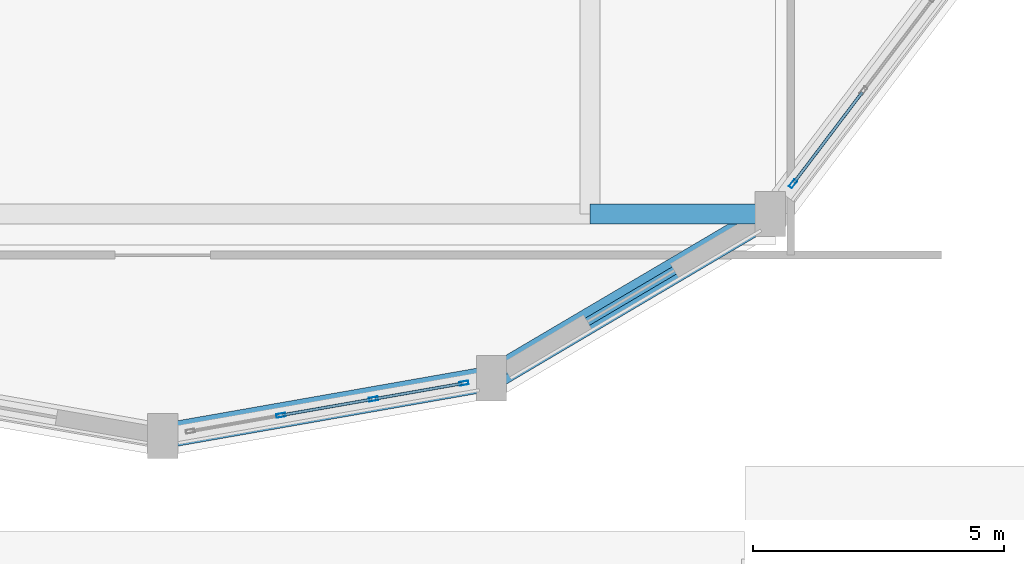
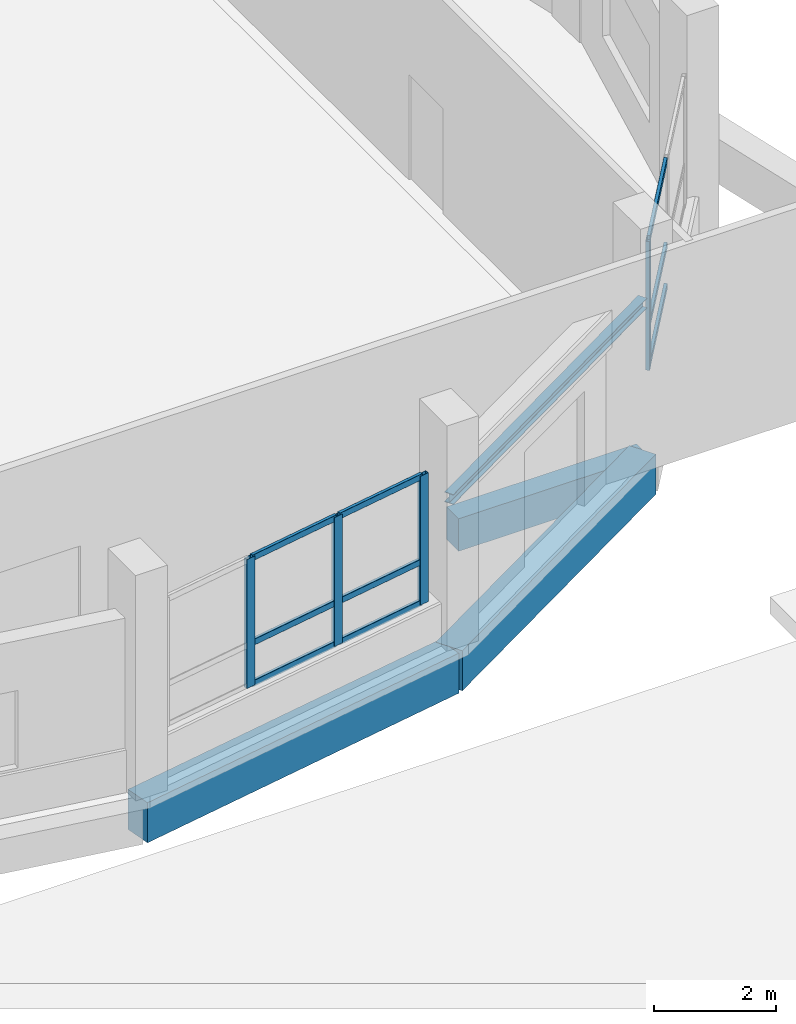
# One storey, part 90 of 129: 13 members, 4 beams, 2 elements without a shape of their own.
"""IFC4 building model written with IfcOpenShell, lengths in metres."""

import ifcopenshell
import ifcopenshell.guid

model = None  # the IFC model being written
_history = None  # IfcOwnerHistory: only IFC2X3 demands one
_inside = {}  # id of a spatial element -> (the spatial element, [elements in it])
_under = {}  # id of a project, library or spatial element -> (it, [spatial elements below it])
_declared = {}  # id of a project -> (the project, [libraries it declares])
_typed = {}  # id of a type object -> (the type object, [elements of that type])
_made_of = {}  # id of a material, layer set ... -> (it, [elements and type objects made of it])


def new_model(schema):
    """Start an empty IFC model of exactly this schema.

    Asked for "IFC4X3", IfcOpenShell would pick the latest addendum, in which some entities
    have other attributes; the version numbers below select the first issue.
    IFC2X3 requires an IfcOwnerHistory on every rooted entity: one is made here for all.
    """
    global model, _history
    if schema == "IFC4X3":
        model = ifcopenshell.file(schema_version=(4, 3, 0, 0))
    else:
        model = ifcopenshell.file(schema=schema)
    _inside.clear()
    _under.clear()
    _declared.clear()
    _typed.clear()
    _made_of.clear()
    _history = None
    if model.schema == "IFC2X3":
        org = make("IfcOrganization", Name="unknown")
        user = make(
            "IfcPersonAndOrganization",
            ThePerson=make("IfcPerson", FamilyName="unknown"),
            TheOrganization=org,
        )
        app = make(
            "IfcApplication",
            ApplicationDeveloper=org,
            Version="unknown",
            ApplicationFullName="unknown",
            ApplicationIdentifier="unknown",
        )
        _history = make(
            "IfcOwnerHistory",
            OwningUser=user,
            OwningApplication=app,
            ChangeAction="ADDED",
            CreationDate=0,
        )
    return model


def make(cls, **values):
    """One entity of the class cls with the attributes given. An attribute that is None is left unset."""
    return model.create_entity(
        cls, **{name: value for name, value in values.items() if value is not None}
    )


def rooted(cls, **values):
    """An entity with a GlobalId (a new one), such as an element, a storey or a relation."""
    return make(cls, GlobalId=ifcopenshell.guid.new(), OwnerHistory=_history, **values)


def si_unit(unit_type, name, prefix=None):
    """IfcSIUnit, for example si_unit("LENGTHUNIT", "METRE", prefix="MILLI")."""
    return make("IfcSIUnit", UnitType=unit_type, Prefix=prefix, Name=name)


def assignment(units):
    """IfcUnitAssignment: the units of a project."""
    return None if units is None else make("IfcUnitAssignment", Units=units)


def point(xyz):
    """IfcCartesianPoint."""
    return None if xyz is None else make("IfcCartesianPoint", Coordinates=xyz)


def direction(xyz):
    """IfcDirection."""
    return None if xyz is None else make("IfcDirection", DirectionRatios=xyz)


def frame(location, z_axis=None, x_axis=None):
    """IfcAxis2Placement3D, a coordinate frame: its origin and axes. An axis left out is left unset."""
    return make(
        "IfcAxis2Placement3D",
        Location=point(location),
        Axis=direction(z_axis),
        RefDirection=direction(x_axis),
    )


def frame_2d(location, x_axis=None):
    """IfcAxis2Placement2D, a coordinate frame in the plane: its origin and x axis."""
    return make(
        "IfcAxis2Placement2D", Location=point(location), RefDirection=direction(x_axis)
    )


def origin():
    """The frame at (0, 0, 0) with its axes left unset."""
    return frame((0.0, 0.0, 0.0))


def origin_2d():
    """The frame at (0, 0) in the plane with its x axis left unset."""
    return frame_2d((0.0, 0.0))


def place(relative_to, where):
    """IfcLocalPlacement: puts the frame where relative to a parent placement (None: the world)."""
    return make(
        "IfcLocalPlacement", PlacementRelTo=relative_to, RelativePlacement=where
    )


def context(
    kind, dimensions, precision=None, world=None, true_north=None, identifier=None
):
    """IfcGeometricRepresentationContext, for example the 3D "Model" context."""
    return make(
        "IfcGeometricRepresentationContext",
        ContextIdentifier=identifier,
        ContextType=kind,
        CoordinateSpaceDimension=dimensions,
        Precision=precision,
        WorldCoordinateSystem=world,
        TrueNorth=true_north,
    )


def subcontext(parent, identifier, kind, view, scale=None):
    """IfcGeometricRepresentationSubContext, for example "Body" below "Model"."""
    return make(
        "IfcGeometricRepresentationSubContext",
        ContextIdentifier=identifier,
        ContextType=kind,
        ParentContext=parent,
        TargetScale=scale,
        TargetView=view,
    )


def project(units=None, contexts=None):
    """IfcProject with its units and contexts."""
    return rooted(
        "IfcProject",
        Name="project",
        RepresentationContexts=contexts,
        UnitsInContext=assignment(units),
    )


def spatial(cls, under=None, at=None, **own):
    """A site, building, storey or space (cls), placed at a placement, below another one or the project."""
    s = rooted(cls, ObjectPlacement=at, **own)
    if under is not None:
        _under.setdefault(under.id(), (under, []))[1].append(s)
    return s


def profile(cls, at=None, kind="AREA", **sizes):
    """A parametric profile (cls). Its sizes go by their IFC names, for example OverallWidth=200.0."""
    return make(cls, ProfileType=kind, Position=at, **sizes)


def rectangle(**sizes):
    """IfcRectangleProfileDef."""
    return profile("IfcRectangleProfileDef", **sizes)


def hollow_rectangle(**sizes):
    """IfcRectangleHollowProfileDef."""
    return profile("IfcRectangleHollowProfileDef", **sizes)


def i_section(**sizes):
    """IfcIShapeProfileDef."""
    return profile("IfcIShapeProfileDef", **sizes)


def extrude(swept, where, along, depth):
    """IfcExtrudedAreaSolid: the profile swept, set in the frame where, extruded along a direction by depth."""
    return make(
        "IfcExtrudedAreaSolid",
        SweptArea=swept,
        Position=where,
        ExtrudedDirection=direction(along),
        Depth=depth,
    )


def shape(context_of_items, identifier, shape_type, items):
    """IfcShapeRepresentation: the items that make up one representation, for example the "Body"."""
    return make(
        "IfcShapeRepresentation",
        ContextOfItems=context_of_items,
        RepresentationIdentifier=identifier,
        RepresentationType=shape_type,
        Items=items,
    )


def material(Name=None, Category=None):
    """IfcMaterial."""
    return make("IfcMaterial", Name=Name, Category=Category)


def layer(
    of_material, thickness, ventilated=None, Name=None, Category=None, Priority=None
):
    """IfcMaterialLayer: one layer of a wall or slab, of a material (None: an air gap)."""
    return make(
        "IfcMaterialLayer",
        Material=of_material,
        LayerThickness=thickness,
        IsVentilated=ventilated,
        Name=Name,
        Category=Category,
        Priority=Priority,
    )


def layer_set(layers, Name=None):
    """IfcMaterialLayerSet."""
    return make("IfcMaterialLayerSet", MaterialLayers=layers, LayerSetName=Name)


def material_profile(
    of_material, cross_section, Name=None, Category=None, Priority=None
):
    """IfcMaterialProfile: a cross section and its material."""
    return make(
        "IfcMaterialProfile",
        Name=Name,
        Material=of_material,
        Profile=cross_section,
        Priority=Priority,
        Category=Category,
    )


def profile_set(profiles, Name=None, composite=None):
    """IfcMaterialProfileSet."""
    return make(
        "IfcMaterialProfileSet",
        Name=Name,
        MaterialProfiles=profiles,
        CompositeProfile=composite,
    )


def made_of(thing, what):
    """Note that an element or type object is made of a material, layer set ...; save() writes the relation."""
    if what is not None:
        _made_of.setdefault(what.id(), (what, []))[1].append(thing)
    return thing


def type_object(cls, material=None, **own):
    """A type object (cls), such as IfcWallType, which elements share."""
    return made_of(rooted(cls, **own), material)


def element(
    cls,
    number,
    at=None,
    inside=None,
    cuts=None,
    type_object=None,
    material=None,
    context=None,
    identifier="Body",
    shape_type=None,
    held_by="IfcProductDefinitionShape",
    body=None,
    shapes=None,
    **own,
):
    """One element of the class cls, such as IfcWall. Its Tag is "e" and its number.

    at: its placement. inside: the storey or other place that contains it. cuts: it is an
    opening in that element (IfcRelVoidsElement). A single representation is given by context,
    identifier, shape_type and body (its items); several are given by shapes. held_by: the class
    of the entity that holds the representations. save() writes the other relations.
    """
    e = rooted(cls, Tag="e%d" % number, ObjectPlacement=at, **own)
    if body is not None:
        shapes = [shape(context, identifier, shape_type, body)]
    if shapes is not None:
        e.Representation = make(held_by, Representations=shapes)
    if inside is not None:
        _inside.setdefault(inside.id(), (inside, []))[1].append(e)
    if cuts is not None:
        rooted(
            "IfcRelVoidsElement", RelatingBuildingElement=cuts, RelatedOpeningElement=e
        )
    if type_object is not None:
        _typed.setdefault(type_object.id(), (type_object, []))[1].append(e)
    return made_of(e, material)


def aggregate(whole, parts):
    """IfcRelAggregates: a whole, such as a stair, and the parts it consists of."""
    return rooted("IfcRelAggregates", RelatingObject=whole, RelatedObjects=parts)


def save(model, path):
    """Write the relations noted so far, then the file.

    IfcRelAggregates (storeys below a building ...), IfcRelContainedInSpatialStructure (elements
    in a storey), IfcRelDefinesByType, IfcRelAssociatesMaterial and IfcRelDeclares: one each for
    every whole, place, type object, material and project.
    """
    for whole, parts in _under.values():
        aggregate(whole, parts)
    for where, things in _inside.values():
        rooted(
            "IfcRelContainedInSpatialStructure",
            RelatedElements=things,
            RelatingStructure=where,
        )
    for kind, things in _typed.values():
        rooted("IfcRelDefinesByType", RelatedObjects=things, RelatingType=kind)
    for what, things in _made_of.values():
        rooted("IfcRelAssociatesMaterial", RelatedObjects=things, RelatingMaterial=what)
    for by, libraries in _declared.values():
        rooted("IfcRelDeclares", RelatingContext=by, RelatedDefinitions=libraries)
    model.write(path)


model = new_model("IFC4")

# Units and contexts
model_context = context("Model", 3, precision=1e-05, world=origin(), true_north=direction((0.0, 1.0)))
body_context = subcontext(model_context, "Body", "Model", "MODEL_VIEW")
ifc_project = project(units=[si_unit("LENGTHUNIT", "METRE"), si_unit("AREAUNIT", "SQUARE_METRE"), si_unit("VOLUMEUNIT", "CUBIC_METRE"), si_unit("PLANEANGLEUNIT", "RADIAN"), si_unit("MASSUNIT", "GRAM", prefix="KILO")], contexts=[model_context])

# Site, building, storey
site_placement = place(None, origin())
site = spatial("IfcSite", under=ifc_project, at=site_placement, CompositionType="ELEMENT")
building_placement = place(site_placement, origin())
building = spatial("IfcBuilding", under=site, at=building_placement, Name="Vespera Passage Community Centre", CompositionType="ELEMENT")
storey_placement = place(building_placement, origin())
storey = spatial("IfcBuildingStorey", under=building, at=storey_placement, Name="L00", CompositionType="ELEMENT", Elevation=0.0)

# Beams
ifc_material_1 = material(Name="Concrete f'c 35 MPa", Category="concrete")
ifc_material_profile_1 = material_profile(ifc_material_1, rectangle(XDim=0.39990234375, YDim=0.64990234375, at=origin_2d()), Name="RC400X650")
ifc_profile_set_1 = profile_set([ifc_material_profile_1], Name="Concrete f'c 35 MPa")
beam_type_1 = type_object("IfcBeamType", Name="BM-G-400X650", PredefinedType="BEAM", material=ifc_profile_set_1)
beam_1_placement = place(storey_placement, frame((151.5, 78.82275390625, -0.60498046875), z_axis=(1.0, 0.0, 0.0), x_axis=(0.0, 1.0, 0.0)))
element("IfcBeam", 1, at=beam_1_placement, inside=storey, type_object=beam_type_1, Name="V2 L00 Court Girder 1.3", PredefinedType="BEAM", context=body_context, shape_type="SweptSolid", body=[
    extrude(rectangle(XDim=0.39990234375, YDim=0.64990234375, at=origin_2d()), origin(), (0.0, 0.0, 1.0), 3.591552734375),
])
ifc_material_2 = material(Name="Steel ASTM A992 Grade 50", Category="steel")
ifc_material_profile_2 = material_profile(ifc_material_2, i_section(OverallWidth=0.1650390625, OverallDepth=0.201416015625, WebThickness=0.006103515625, FlangeThickness=0.01025390625, FilletRadius=0.01025390625, at=origin_2d()), Name="W8X24")
ifc_profile_set_2 = profile_set([ifc_material_profile_2], Name="Steel ASTM A992 Grade 50")
beam_type_2 = type_object("IfcBeamType", Name="BM-LN-W8X24E", PredefinedType="LINTEL", material=ifc_profile_set_2)
beam_2_placement = place(storey_placement, frame((155.091552734375, 78.82275390625, 2.679931640625), z_axis=(-0.861245535965, -0.508189065978, 0.0), x_axis=(0.508189065978, -0.861245535965, 0.0)))
element("IfcBeam", 2, at=beam_2_placement, inside=storey, type_object=beam_type_2, Name="Sports Exit Canopy Lintel 14", PredefinedType="LINTEL", context=body_context, shape_type="SweptSolid", body=[
    extrude(i_section(OverallWidth=0.1650390625, OverallDepth=0.201416015625, WebThickness=0.006103515625, FlangeThickness=0.01025390625, FilletRadius=0.01025390625, at=origin_2d()), origin(), (0.0, 0.0, 1.0), 6.44140625),
])
ifc_material_3 = material(Name="Concrete f'c 35 MPa", Category="concrete")
ifc_material_profile_3 = material_profile(ifc_material_3, rectangle(XDim=0.5, YDim=0.800048828125, at=origin_2d()), Name="RC500X800")
ifc_profile_set_3 = profile_set([ifc_material_profile_3], Name="Concrete f'c 35 MPa")
beam_type_3 = type_object("IfcBeamType", Name="BM-SP-500X800E", PredefinedType="SPANDREL", material=ifc_profile_set_3)
beam_3_placement = place(storey_placement, frame((143.0, 74.39990234375, -0.679931640625), z_axis=(0.984922333185, 0.172997102844, 0.0), x_axis=(-0.172997102844, 0.984922333185, 0.0)))
element("IfcBeam", 3, at=beam_3_placement, inside=storey, type_object=beam_type_3, Name="V2 L00 Perimeter Spandrel 13", PredefinedType="SPANDREL", context=body_context, shape_type="SweptSolid", body=[
    extrude(rectangle(XDim=0.5, YDim=0.800048828125, at=origin_2d()), origin(), (0.0, 0.0, 1.0), 6.64404296875),
])
beam_4_placement = place(storey_placement, frame((149.5439453125, 75.54931640625, -0.679931640625), z_axis=(0.861245535965, 0.508189065978, 0.0), x_axis=(-0.508189065978, 0.861245535965, 0.0)))
element("IfcBeam", 4, at=beam_4_placement, inside=storey, type_object=beam_type_3, Name="V2 L00 Perimeter Spandrel 14", PredefinedType="SPANDREL", context=body_context, shape_type="SweptSolid", body=[
    extrude(rectangle(XDim=0.5, YDim=0.800048828125, at=origin_2d()), origin(), (0.0, 0.0, 1.0), 6.44140625),
])

# Curtain wall, members
ifc_material_4 = material(Name="Anodized aluminium 6063-T6", Category="aluminium")
ifc_layer_1 = layer(ifc_material_4, 0.159912109375)
ifc_layer_set_1 = layer_set([ifc_layer_1], Name="Anodized aluminium 6063-T6")
curtain_wall_type_1 = type_object("IfcCurtainWallType", Name="CW-92E", PredefinedType="NOTDEFINED", material=ifc_layer_set_1)
curtain_wall_1_placement = place(storey_placement, origin())
curtain_wall_1 = element("IfcCurtainWall", 5, at=curtain_wall_1_placement, inside=storey, type_object=curtain_wall_type_1, Name="Sports Drum Ribbon Curtain Wall L00.13", PredefinedType="NOTDEFINED")
ifc_material_5 = material(Name="Anodized aluminium 6063-T6", Category="aluminium")
ifc_material_profile_4 = material_profile(ifc_material_5, hollow_rectangle(XDim=0.074951171875, YDim=0.179931640625, WallThickness=0.0048828125, InnerFilletRadius=0.00244140625, OuterFilletRadius=0.0048828125, at=origin_2d()), Name="ALU180X75X5")
ifc_profile_set_4 = profile_set([ifc_material_profile_4], Name="Anodized aluminium 6063-T6")
member_type_1 = type_object("IfcMemberType", Name="MB-CWM-180E", PredefinedType="MULLION", material=ifc_profile_set_4)
member_1_placement = place(storey_placement, frame((148.9951171875, 75.453125, 0.85009765625), z_axis=(0.0, 0.0, 1.0), x_axis=(0.172994429562, -0.984922802731, 0.0)))
member_1 = element("IfcMember", 6, at=member_1_placement, type_object=member_type_1, Name="CW-92E mullion 1", PredefinedType="MULLION", context=body_context, shape_type="SweptSolid", body=[
    extrude(hollow_rectangle(XDim=0.074951171875, YDim=0.179931640625, WallThickness=0.0048828125, InnerFilletRadius=0.00244140625, OuterFilletRadius=0.0048828125, at=origin_2d()), origin(), (0.0, 0.0, 1.0), 2.574951171875),
])
member_2_placement = place(storey_placement, frame((147.19189453125, 75.13623046875, 0.85009765625), z_axis=(0.0, 0.0, 1.0), x_axis=(0.172994429562, -0.984922802731, 0.0)))
member_2 = element("IfcMember", 7, at=member_2_placement, type_object=member_type_1, Name="CW-92E mullion 2", PredefinedType="MULLION", context=body_context, shape_type="SweptSolid", body=[
    extrude(hollow_rectangle(XDim=0.074951171875, YDim=0.179931640625, WallThickness=0.0048828125, InnerFilletRadius=0.00244140625, OuterFilletRadius=0.0048828125, at=origin_2d()), origin(), (0.0, 0.0, 1.0), 2.574951171875),
])
member_3_placement = place(storey_placement, frame((145.351806640625, 74.81298828125, 0.85009765625), z_axis=(0.0, 0.0, 1.0), x_axis=(0.172994429562, -0.984922802731, 0.0)))
member_3 = element("IfcMember", 8, at=member_3_placement, type_object=member_type_1, Name="CW-92E mullion 3", PredefinedType="MULLION", context=body_context, shape_type="SweptSolid", body=[
    extrude(hollow_rectangle(XDim=0.074951171875, YDim=0.179931640625, WallThickness=0.0048828125, InnerFilletRadius=0.00244140625, OuterFilletRadius=0.0048828125, at=origin_2d()), origin(), (0.0, 0.0, 1.0), 2.574951171875),
])

# Curtain wall, member
ifc_material_6 = material(Name="Anodized aluminium 6063-T6", Category="aluminium")
ifc_layer_2 = layer(ifc_material_6, 0.159912109375)
ifc_layer_set_2 = layer_set([ifc_layer_2], Name="Anodized aluminium 6063-T6")
curtain_wall_type_2 = type_object("IfcCurtainWallType", Name="CW-90E", PredefinedType="NOTDEFINED", material=ifc_layer_set_2)
curtain_wall_2_placement = place(storey_placement, origin())
curtain_wall_2 = element("IfcCurtainWall", 9, at=curtain_wall_2_placement, inside=storey, type_object=curtain_wall_type_2, Name="Sports Drum Ribbon Curtain Wall L00.15", PredefinedType="NOTDEFINED")
member_4_placement = place(storey_placement, frame((155.5439453125, 79.42041015625, 0.85009765625), z_axis=(0.0, 0.0, 1.0), x_axis=(0.797434495654, -0.603405522961, 0.0)))
member_4 = element("IfcMember", 10, at=member_4_placement, type_object=member_type_1, Name="CW-90E mullion 3", PredefinedType="MULLION", context=body_context, shape_type="SweptSolid", body=[
    extrude(hollow_rectangle(XDim=0.074951171875, YDim=0.179931640625, WallThickness=0.0048828125, InnerFilletRadius=0.00244140625, OuterFilletRadius=0.0048828125, at=origin_2d()), origin(), (0.0, 0.0, 1.0), 2.574951171875),
])

# Member
ifc_material_7 = material(Name="Anodized aluminium 6063-T6", Category="aluminium")
ifc_material_profile_5 = material_profile(ifc_material_7, hollow_rectangle(XDim=0.06005859375, YDim=0.1201171875, WallThickness=0.00390625, InnerFilletRadius=0.001953125, OuterFilletRadius=0.00390625, at=origin_2d()), Name="ALU120X60X4")
ifc_profile_set_5 = profile_set([ifc_material_profile_5], Name="Anodized aluminium 6063-T6")
member_type_2 = type_object("IfcMemberType", Name="MB-CWT-120E", PredefinedType="USERDEFINED", material=ifc_profile_set_5)
member_5_placement = place(storey_placement, frame((148.958251953125, 75.446533203125, 0.8798828125), z_axis=(-0.984924620758, -0.172984078529, 0.0), x_axis=(0.172984078529, -0.984924620758, 0.0)))
member_5 = element("IfcMember", 11, at=member_5_placement, type_object=member_type_2, Name="CW-92E transom 1.1", ObjectType="TRANSOM", PredefinedType="USERDEFINED", context=body_context, shape_type="SweptSolid", body=[
    extrude(hollow_rectangle(XDim=0.06005859375, YDim=0.1201171875, WallThickness=0.00390625, InnerFilletRadius=0.001953125, OuterFilletRadius=0.00390625, at=origin_2d()), origin(), (0.0, 0.0, 1.0), 1.755615234375),
])

member_6_placement = place(storey_placement, frame((148.958251953125, 75.446533203125, 1.699951171875), z_axis=(-0.984924620758, -0.172984078529, 0.0), x_axis=(0.172984078529, -0.984924620758, 0.0)))
member_6 = element("IfcMember", 12, at=member_6_placement, type_object=member_type_2, Name="CW-92E transom 1.2", ObjectType="TRANSOM", PredefinedType="USERDEFINED", context=body_context, shape_type="SweptSolid", body=[
    extrude(hollow_rectangle(XDim=0.06005859375, YDim=0.1201171875, WallThickness=0.00390625, InnerFilletRadius=0.001953125, OuterFilletRadius=0.00390625, at=origin_2d()), origin(), (0.0, 0.0, 1.0), 1.755615234375),
])

member_7_placement = place(storey_placement, frame((148.958251953125, 75.446533203125, 3.39501953125), z_axis=(-0.984924620758, -0.172984078529, 0.0), x_axis=(0.172984078529, -0.984924620758, 0.0)))
member_7 = element("IfcMember", 13, at=member_7_placement, type_object=member_type_2, Name="CW-92E transom 1.3", ObjectType="TRANSOM", PredefinedType="USERDEFINED", context=body_context, shape_type="SweptSolid", body=[
    extrude(hollow_rectangle(XDim=0.06005859375, YDim=0.1201171875, WallThickness=0.00390625, InnerFilletRadius=0.001953125, OuterFilletRadius=0.00390625, at=origin_2d()), origin(), (0.0, 0.0, 1.0), 1.755615234375),
])

member_8_placement = place(storey_placement, frame((147.155029296875, 75.1298828125, 0.8798828125), z_axis=(-0.984913493542, -0.173047421937, 0.0), x_axis=(0.173047421937, -0.984913493542, 0.0)))
member_8 = element("IfcMember", 14, at=member_8_placement, type_object=member_type_2, Name="CW-92E transom 2.1", ObjectType="TRANSOM", PredefinedType="USERDEFINED", context=body_context, shape_type="SweptSolid", body=[
    extrude(hollow_rectangle(XDim=0.06005859375, YDim=0.1201171875, WallThickness=0.00390625, InnerFilletRadius=0.001953125, OuterFilletRadius=0.00390625, at=origin_2d()), origin(), (0.0, 0.0, 1.0), 1.793212890625),
])

member_9_placement = place(storey_placement, frame((147.155029296875, 75.1298828125, 1.699951171875), z_axis=(-0.984913493542, -0.173047421937, 0.0), x_axis=(0.173047421937, -0.984913493542, 0.0)))
member_9 = element("IfcMember", 15, at=member_9_placement, type_object=member_type_2, Name="CW-92E transom 2.2", ObjectType="TRANSOM", PredefinedType="USERDEFINED", context=body_context, shape_type="SweptSolid", body=[
    extrude(hollow_rectangle(XDim=0.06005859375, YDim=0.1201171875, WallThickness=0.00390625, InnerFilletRadius=0.001953125, OuterFilletRadius=0.00390625, at=origin_2d()), origin(), (0.0, 0.0, 1.0), 1.793212890625),
])

member_10_placement = place(storey_placement, frame((147.155029296875, 75.1298828125, 3.39501953125), z_axis=(-0.984913493542, -0.173047421937, 0.0), x_axis=(0.173047421937, -0.984913493542, 0.0)))
member_10 = element("IfcMember", 16, at=member_10_placement, type_object=member_type_2, Name="CW-92E transom 2.3", ObjectType="TRANSOM", PredefinedType="USERDEFINED", context=body_context, shape_type="SweptSolid", body=[
    extrude(hollow_rectangle(XDim=0.06005859375, YDim=0.1201171875, WallThickness=0.00390625, InnerFilletRadius=0.001953125, OuterFilletRadius=0.00390625, at=origin_2d()), origin(), (0.0, 0.0, 1.0), 1.793212890625),
])

aggregate(curtain_wall_1, [member_1, member_2, member_3, member_5, member_6, member_7, member_8, member_9, member_10])

member_11_placement = place(storey_placement, frame((156.92236328125, 81.2421875, 0.8798828125), z_axis=(-0.603453873456, -0.797397907328, 0.0), x_axis=(0.797397907328, -0.603453873456, 0.0)))
member_11 = element("IfcMember", 17, at=member_11_placement, type_object=member_type_2, Name="CW-90E transom 2.1", ObjectType="TRANSOM", PredefinedType="USERDEFINED", context=body_context, shape_type="SweptSolid", body=[
    extrude(hollow_rectangle(XDim=0.06005859375, YDim=0.1201171875, WallThickness=0.00390625, InnerFilletRadius=0.001953125, OuterFilletRadius=0.00390625, at=origin_2d()), origin(), (0.0, 0.0, 1.0), 2.2470703125),
])

member_12_placement = place(storey_placement, frame((156.92236328125, 81.2421875, 1.699951171875), z_axis=(-0.603453873456, -0.797397907328, 0.0), x_axis=(0.797397907328, -0.603453873456, 0.0)))
member_12 = element("IfcMember", 18, at=member_12_placement, type_object=member_type_2, Name="CW-90E transom 2.2", ObjectType="TRANSOM", PredefinedType="USERDEFINED", context=body_context, shape_type="SweptSolid", body=[
    extrude(hollow_rectangle(XDim=0.06005859375, YDim=0.1201171875, WallThickness=0.00390625, InnerFilletRadius=0.001953125, OuterFilletRadius=0.00390625, at=origin_2d()), origin(), (0.0, 0.0, 1.0), 2.2470703125),
])

member_13_placement = place(storey_placement, frame((156.92236328125, 81.2421875, 3.39501953125), z_axis=(-0.603453873456, -0.797397907328, 0.0), x_axis=(0.797397907328, -0.603453873456, 0.0)))
member_13 = element("IfcMember", 19, at=member_13_placement, type_object=member_type_2, Name="CW-90E transom 2.3", ObjectType="TRANSOM", PredefinedType="USERDEFINED", context=body_context, shape_type="SweptSolid", body=[
    extrude(hollow_rectangle(XDim=0.06005859375, YDim=0.1201171875, WallThickness=0.00390625, InnerFilletRadius=0.001953125, OuterFilletRadius=0.00390625, at=origin_2d()), origin(), (0.0, 0.0, 1.0), 2.2470703125),
])

aggregate(curtain_wall_2, [member_4, member_11, member_12, member_13])

save(model, "model.ifc")
